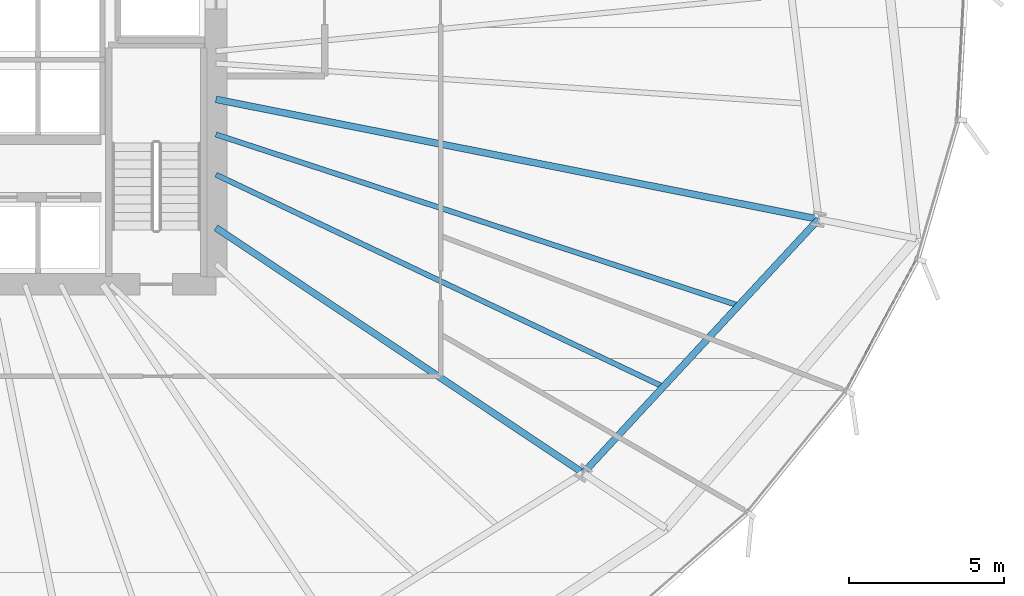
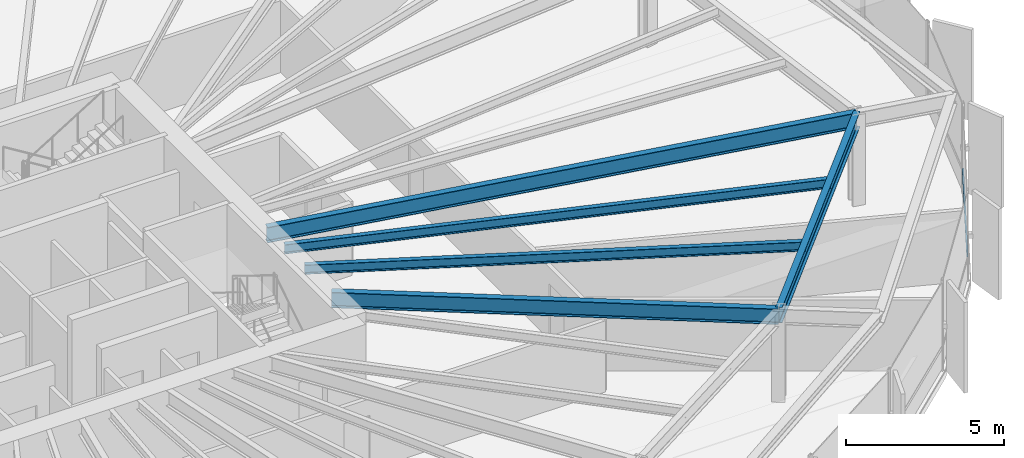
# One storey, part 15 of 39: 5 beams, 1 member, 1 element without a shape of its own.
"""IFC4 building model written with IfcOpenShell, lengths in metres."""

from ifc_helpers import new_model, si_unit, direction, frame, origin, origin_2d, place, context, subcontext, project, spatial, hollow_rectangle, i_section, extrude, source, transform, mapped, material, layer, layer_set, material_profile, profile_set, type_object, element, aggregate, save


model = new_model("IFC4")

# Units and contexts
model_context = context("Model", 3, precision=1e-05, world=origin(), true_north=direction((0.0, 1.0)))
body_context = subcontext(model_context, "Body", "Model", "MODEL_VIEW")
ifc_project = project(units=[si_unit("LENGTHUNIT", "METRE"), si_unit("AREAUNIT", "SQUARE_METRE"), si_unit("VOLUMEUNIT", "CUBIC_METRE"), si_unit("PLANEANGLEUNIT", "RADIAN"), si_unit("MASSUNIT", "GRAM", prefix="KILO"), si_unit("THERMODYNAMICTEMPERATUREUNIT", "KELVIN")], contexts=[model_context])

# Site, building, storey
site_placement = place(None, origin())
site = spatial("IfcSite", under=ifc_project, at=site_placement, CompositionType="ELEMENT")
building_placement = place(site_placement, origin())
building = spatial("IfcBuilding", under=site, at=building_placement, Name="Kethvar Cultural Tower", CompositionType="ELEMENT")
storey_placement = place(building_placement, frame((0.0, 0.0, 44.800048828125)))
storey = spatial("IfcBuildingStorey", under=building, at=storey_placement, Name="L10", CompositionType="ELEMENT", Elevation=44.800048828125)

# Beams
ifc_material_1 = material(Name="Steel S355J2", Category="steel")
ifc_material_profile_1 = material_profile(ifc_material_1, i_section(OverallWidth=0.219970703125, OverallDepth=0.60009765625, WebThickness=0.011962890625, FlangeThickness=0.01904296875, FilletRadius=0.02392578125, at=origin_2d()), Name="Steel S355J2 — IPE600")
ifc_profile_set_1 = profile_set([ifc_material_profile_1], Name="Steel S355J2 — IPE600")
beam_type_1 = type_object("IfcBeamType", Name="BM-IPE600", PredefinedType="BEAM", material=ifc_profile_set_1)
shared_shape_1 = source(origin(), body_context, "Body", "SweptSolid", [
    extrude(i_section(OverallWidth=0.219970703125, OverallDepth=0.60009765625, WebThickness=0.011962890625, FlangeThickness=0.01904296875, FilletRadius=0.02392578125, at=origin_2d()), origin(), (0.0, 0.0, 1.0), 14.2138671875),
])
beam_1_placement = place(storey_placement, frame((55.60009765625, 21.920166015625, 3.248046875), z_axis=(0.831463197362, -0.555579833537, 0.0), x_axis=(0.555579833537, 0.831463197362, 0.0)))
element("IfcBeam", 1, at=beam_1_placement, inside=storey, type_object=beam_type_1, Name="L10 Primary Radial Beam RB-15", PredefinedType="BEAM", context=body_context, shape_type="MappedRepresentation", body=[
    mapped(shared_shape_1, transform((0.0, 0.0, 0.0), scale=1.0)),
])
shared_shape_2 = source(origin(), body_context, "Body", "SweptSolid", [
    extrude(i_section(OverallWidth=0.219970703125, OverallDepth=0.60009765625, WebThickness=0.011962890625, FlangeThickness=0.01904296875, FilletRadius=0.02392578125, at=origin_2d()), origin(), (0.0, 0.0, 1.0), 19.77099609375),
])
beam_2_placement = place(storey_placement, frame((55.60009765625, 26.049560546875, 3.248046875), z_axis=(0.980784840197, -0.195092535068, 0.0), x_axis=(0.195092535068, 0.980784840197, 0.0)))
element("IfcBeam", 2, at=beam_2_placement, inside=storey, type_object=beam_type_1, Name="L10 Primary Radial Beam RB-16", PredefinedType="BEAM", context=body_context, shape_type="MappedRepresentation", body=[
    mapped(shared_shape_2, transform((0.0, 0.0, 0.0), scale=1.0)),
])
shared_shape_3 = source(origin(), body_context, "Body", "SweptSolid", [
    extrude(i_section(OverallWidth=0.219970703125, OverallDepth=0.60009765625, WebThickness=0.011962890625, FlangeThickness=0.01904296875, FilletRadius=0.02392578125, at=origin_2d()), origin(), (0.0, 0.0, 1.0), 11.13916015625),
])
beam_3_placement = place(storey_placement, frame((67.41845703125, 14.023193359375, 3.248046875), z_axis=(0.679827924457, 0.73337166098, 0.0), x_axis=(-0.73337166098, 0.679827924457, 0.0)))
element("IfcBeam", 3, at=beam_3_placement, inside=storey, type_object=beam_type_1, Name="L10 Column Ring Tie Beam CR-15", PredefinedType="BEAM", context=body_context, shape_type="MappedRepresentation", body=[
    mapped(shared_shape_3, transform((0.0, 0.0, 0.0), scale=1.0)),
])
ifc_material_profile_2 = material_profile(ifc_material_1, i_section(OverallWidth=0.169921875, OverallDepth=0.360107421875, WebThickness=0.008056640625, FlangeThickness=0.0126953125, FilletRadius=0.01806640625, at=origin_2d()), Name="Steel S355J2 — IPE360")
ifc_profile_set_2 = profile_set([ifc_material_profile_2], Name="Steel S355J2 — IPE360")
beam_type_2 = type_object("IfcBeamType", Name="BM-J360", PredefinedType="JOIST", material=ifc_profile_set_2)
shared_shape_4 = source(origin(), body_context, "Body", "SweptSolid", [
    extrude(i_section(OverallWidth=0.169921875, OverallDepth=0.360107421875, WebThickness=0.008056640625, FlangeThickness=0.0126953125, FilletRadius=0.01806640625, at=origin_2d()), origin(), (0.0, 0.0, 1.0), 15.9296875),
])
beam_4_placement = place(storey_placement, frame((55.60009765625, 23.626708984375, 3.367919921875), z_axis=(0.903539576646, -0.428504648089, 0.0), x_axis=(0.428504648089, 0.903539576646, 0.0)))
element("IfcBeam", 4, at=beam_4_placement, inside=storey, type_object=beam_type_2, Name="L10 Composite Floor Joist J-15A", PredefinedType="JOIST", context=body_context, shape_type="MappedRepresentation", body=[
    mapped(shared_shape_4, transform((0.0, 0.0, 0.0), scale=1.0)),
])
shared_shape_5 = source(origin(), body_context, "Body", "SweptSolid", [
    extrude(i_section(OverallWidth=0.169921875, OverallDepth=0.360107421875, WebThickness=0.008056640625, FlangeThickness=0.0126953125, FilletRadius=0.01806640625, at=origin_2d()), origin(), (0.0, 0.0, 1.0), 17.6943359375),
])
beam_5_placement = place(storey_placement, frame((55.60009765625, 24.91943359375, 3.367919921875), z_axis=(0.950378958587, -0.311094575773, 0.0), x_axis=(0.311094575773, 0.950378958587, 0.0)))
element("IfcBeam", 5, at=beam_5_placement, inside=storey, type_object=beam_type_2, Name="L10 Composite Floor Joist J-15B", PredefinedType="JOIST", context=body_context, shape_type="MappedRepresentation", body=[
    mapped(shared_shape_5, transform((0.0, 0.0, 0.0), scale=1.0)),
])

# Curtain wall, member
ifc_material_2 = material(Name="Aluminium 6063-T6", Category="aluminium")
ifc_layer = layer(ifc_material_2, 0.179931640625, Name="Aluminium 6063-T6", Category="aluminium")
ifc_layer_set = layer_set([ifc_layer], Name="Aluminium 6063-T6 (180 mm)")
curtain_wall_type = type_object("IfcCurtainWallType", Name="CW-SYS-02-Z1", PredefinedType="NOTDEFINED", material=ifc_layer_set)
curtain_wall_placement = place(storey_placement, origin())
curtain_wall = element("IfcCurtainWall", 6, at=curtain_wall_placement, inside=storey, type_object=curtain_wall_type, Name="L10 Curtain Wall Run 06", PredefinedType="NOTDEFINED")
ifc_material_profile_3 = material_profile(ifc_material_2, hollow_rectangle(XDim=0.054931640625, YDim=0.1201171875, WallThickness=0.00390625, at=origin_2d()), Name="Aluminium 6063-T6 — RHS120x55x4")
ifc_profile_set_3 = profile_set([ifc_material_profile_3], Name="Aluminium 6063-T6 — RHS120x55x4")
member_type = type_object("IfcMemberType", Name="CW-SYS-02-Z1-TRN", PredefinedType="USERDEFINED", material=ifc_profile_set_3)
shared_shape_6 = source(origin(), body_context, "Body", "SweptSolid", [
    extrude(hollow_rectangle(XDim=0.054931640625, YDim=0.1201171875, WallThickness=0.00390625, at=origin_2d()), origin(), (0.0, 0.0, 1.0), 4.738525390625),
])
member_placement = place(storey_placement, frame((75.8828125, 16.72509765625, 0.949951171875), z_axis=(0.474271873406, 0.880378435729, 0.0), x_axis=(-0.880378435729, 0.474271873406, 0.0)))
member = element("IfcMember", 7, at=member_placement, type_object=member_type, Name="CW-L10-R06 Transom 5", ObjectType="TRANSOM", PredefinedType="USERDEFINED", context=body_context, shape_type="MappedRepresentation", body=[
    mapped(shared_shape_6, transform((0.0, 0.0, 0.0), scale=1.0)),
])
aggregate(curtain_wall, [member])

save(model, "model.ifc")
